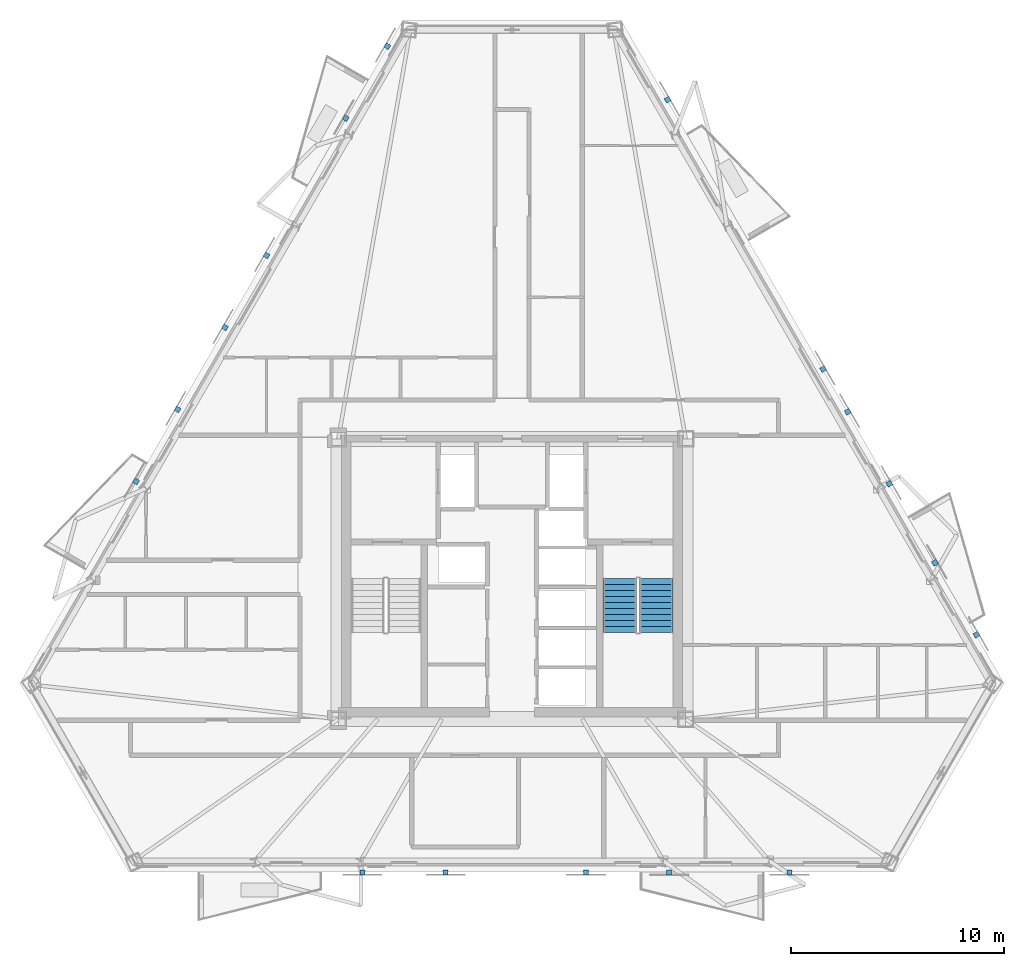
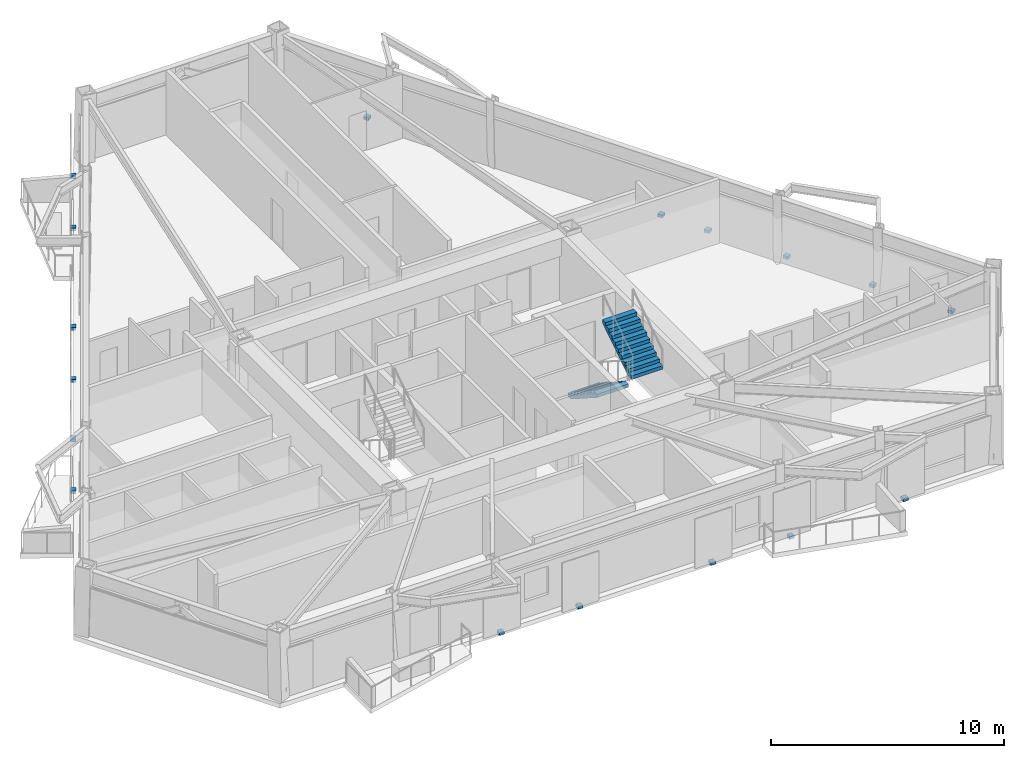
# One storey, part 6 of 9: 17 discrete accessories, 2 stair flights, 1 element without a shape of its own.
"""IFC4 building model written with IfcOpenShell, lengths in metres."""

from ifc_helpers import new_model, si_unit, direction, frame, origin, origin_2d, place, context, subcontext, project, spatial, polyline, rectangle, outline, extrude, material, type_object, element, aggregate, save


model = new_model("IFC4")

# Units and contexts
model_context = context("Model", 3, precision=1e-05, world=origin(), true_north=direction((0.0, 1.0)))
body_context = subcontext(model_context, "Body", "Model", "MODEL_VIEW")
ifc_project = project(units=[si_unit("LENGTHUNIT", "METRE"), si_unit("AREAUNIT", "SQUARE_METRE"), si_unit("VOLUMEUNIT", "CUBIC_METRE"), si_unit("PLANEANGLEUNIT", "RADIAN"), si_unit("MASSUNIT", "GRAM", prefix="KILO")], contexts=[model_context])

# Site, building, storey
site_placement = place(None, origin())
site = spatial("IfcSite", under=ifc_project, at=site_placement, CompositionType="ELEMENT")
building_placement = place(site_placement, origin())
building = spatial("IfcBuilding", under=site, at=building_placement, Name="Oramaril Tower", CompositionType="ELEMENT")
storey_placement = place(building_placement, frame((0.0, 0.0, 145.800048828125)))
storey = spatial("IfcBuildingStorey", under=building, at=storey_placement, Name="L38", CompositionType="ELEMENT", Elevation=145.800048828125)

# Stair, stair flights
ifc_material_1 = material(Name="Concrete C50/60", Category="concrete")
stair_type = type_object("IfcStairType", Name="STT-DG-3600", PredefinedType="HALF_TURN_STAIR", material=ifc_material_1)
stair_placement = place(storey_placement, origin())
stair = element("IfcStair", 1, at=stair_placement, inside=storey, type_object=stair_type, Name="L38 Protected PFP Exit Stair ST-2", PredefinedType="HALF_TURN_STAIR")
ifc_material_2 = material(Name="Concrete C50/60", Category="concrete")
stair_flight_type = type_object("IfcStairFlightType", Name="SFT-DG-3600", PredefinedType="STRAIGHT", material=ifc_material_2)
stair_flight_1_placement = place(storey_placement, frame((42.56005859375, 17.590087890625, 0.0), z_axis=(0.0, 0.0, 1.0), x_axis=(0.0, -1.0, 0.0)))
stair_flight_1 = element("IfcStairFlight", 2, at=stair_flight_1_placement, type_object=stair_flight_type, Name="ST-2 flight 1", NumberOfRisers=10, NumberOfTreads=9, PredefinedType="STRAIGHT", RiserHeight=0.18, TreadLength=0.28, context=body_context, shape_type="SweptSolid", body=[
    extrude(outline(polyline([(0.0, 0.0), (0.0, 0.179931640625), (0.280029296875, 0.179931640625), (0.280029296875, 0.360107421875), (0.56005859375, 0.360107421875), (0.56005859375, 0.5400390625), (0.840087890625, 0.5400390625), (0.840087890625, 0.719970703125), (1.1201171875, 0.719970703125), (1.1201171875, 0.89990234375), (1.39990234375, 0.89990234375), (1.39990234375, 1.080078125), (1.679931640625, 1.080078125), (1.679931640625, 1.260009765625), (1.9599609375, 1.260009765625), (1.9599609375, 1.43994140625), (2.239990234375, 1.43994140625), (2.239990234375, 1.6201171875), (2.52001953125, 1.6201171875), (2.52001953125, 1.800048828125), (2.52001953125, 1.44189453125), (0.277099609375, 0.0), (0.0, 0.0)])), frame((0.0, 0.780029296875, 0.0), z_axis=(0.0, -1.0, 0.0), x_axis=(1.0, 0.0, 0.0)), (0.0, 0.0, 1.0), 1.56005859375),
])
stair_flight_2_placement = place(storey_placement, frame((44.27001953125, 15.070068359375, 1.800048828125), z_axis=(0.0, 0.0, 1.0), x_axis=(0.0, 1.0, 0.0)))
stair_flight_2 = element("IfcStairFlight", 3, at=stair_flight_2_placement, type_object=stair_flight_type, Name="ST-2 flight 2", NumberOfRisers=10, NumberOfTreads=9, PredefinedType="STRAIGHT", RiserHeight=0.18, TreadLength=0.28, context=body_context, shape_type="SweptSolid", body=[
    extrude(outline(polyline([(0.0, 0.0), (0.0, 0.179931640625), (0.280029296875, 0.179931640625), (0.280029296875, 0.360107421875), (0.56005859375, 0.360107421875), (0.56005859375, 0.5400390625), (0.840087890625, 0.5400390625), (0.840087890625, 0.719970703125), (1.1201171875, 0.719970703125), (1.1201171875, 0.89990234375), (1.39990234375, 0.89990234375), (1.39990234375, 1.080078125), (1.679931640625, 1.080078125), (1.679931640625, 1.260009765625), (1.9599609375, 1.260009765625), (1.9599609375, 1.43994140625), (2.239990234375, 1.43994140625), (2.239990234375, 1.6201171875), (2.52001953125, 1.6201171875), (2.52001953125, 1.800048828125), (2.52001953125, 1.44189453125), (0.277099609375, 0.0), (0.0, 0.0)])), frame((0.0, 0.780029296875, 0.0), z_axis=(0.0, -1.0, 0.0), x_axis=(1.0, 0.0, 0.0)), (0.0, 0.0, 1.0), 1.56005859375),
])
aggregate(stair, [stair_flight_1, stair_flight_2])

# Discrete accessories
for number, where, z_axis, x_axis, name in (
    (4, (30.482666015625, 3.798828125, -0.14013671875), (0.0, 0.0, 1.0), (1.0, 0.0, 0.0), "L38 Solar Screen Slab Bracket"),
    (5, (34.3828125, 3.798828125, -0.14013671875), (0.0, 0.0, 1.0), (1.0, 0.0, 0.0), "L38 Solar Screen Slab Bracket"),
    (6, (50.521240234375, 3.798828125, -0.14013671875), (0.0, 0.0, 1.0), (1.0, 0.0, 0.0), "L38 Solar Screen Slab Bracket"),
    (7, (40.972412109375, 3.798828125, -0.14013671875), (0.0, 0.0, 1.0), (1.0, 0.0, 0.0), "L38 Solar Screen Slab Bracket"),
    (8, (44.87255859375, 3.798828125, -0.14013671875), (0.0, 0.0, 1.0), (1.0, 0.0, 0.0), "L38 Solar Screen Slab Bracket"),
    (9, (59.2919921875, 14.957275390625, -0.14013671875), (0.0, 0.0, 1.0), (-0.4999984885, 0.866026276448, 0.0), "L38 Solar Screen Slab Bracket"),
    (10, (57.342041015625, 18.334716796875, -0.14013671875), (0.0, 0.0, 1.0), (-0.4999984885, 0.866026276448, 0.0), "L38 Solar Screen Slab Bracket"),
    (11, (55.202880859375, 22.0400390625, -0.14013671875), (0.0, 0.0, 1.0), (-0.4999984885, 0.866026276448, 0.0), "L38 Solar Screen Slab Bracket"),
    (12, (53.2529296875, 25.41748046875, -0.14013671875), (0.0, 0.0, 1.0), (-0.4999984885, 0.866026276448, 0.0), "L38 Solar Screen Slab Bracket"),
    (13, (52.09521484375, 27.4228515625, -0.14013671875), (0.0, 0.0, 1.0), (-0.4999984885, 0.866026276448, 0.0), "L38 Solar Screen Slab Bracket"),
    (14, (44.799072265625, 40.060302734375, -0.14013671875), (0.0, 0.0, 1.0), (-0.4999984885, 0.866026276448, 0.0), "L38 Solar Screen Slab Bracket"),
    (15, (21.8115234375, 25.529052734375, -0.14013671875), (0.0, 0.0, 1.0), (-0.4999984885, -0.866026276448, 0.0), "L38 Solar Screen Slab Bracket"),
    (16, (19.861572265625, 22.151611328125, -0.14013671875), (0.0, 0.0, 1.0), (-0.4999984885, -0.866026276448, 0.0), "L38 Solar Screen Slab Bracket"),
    (17, (31.650146484375, 42.5703125, -0.14013671875), (0.0, 0.0, 1.0), (-0.4999984885, -0.866026276448, 0.0), "L38 Solar Screen Slab Bracket"),
    (18, (29.7001953125, 39.19287109375, -0.14013671875), (0.0, 0.0, 1.0), (-0.4999984885, -0.866026276448, 0.0), "L38 Solar Screen Slab Bracket"),
    (19, (25.983154296875, 32.75439453125, -0.14013671875), (0.0, 0.0, 1.0), (-0.4999984885, -0.866026276448, 0.0), "L38 Solar Screen Slab Bracket"),
    (20, (24.033203125, 29.376953125, -0.14013671875), (0.0, 0.0, 1.0), (-0.4999984885, -0.866026276448, 0.0), "L38 Solar Screen Slab Bracket"),
):
    element("IfcDiscreteAccessory", number, at=place(storey_placement, frame(where, z_axis=z_axis, x_axis=x_axis)), inside=storey, Name=name, PredefinedType="BRACKET", context=body_context, shape_type="SweptSolid", body=[
        extrude(rectangle(XDim=0.239990234375, YDim=0.239990234375, at=origin_2d()), origin(), (0.0, 0.0, 1.0), 0.159912109375),
    ])

save(model, "model.ifc")
